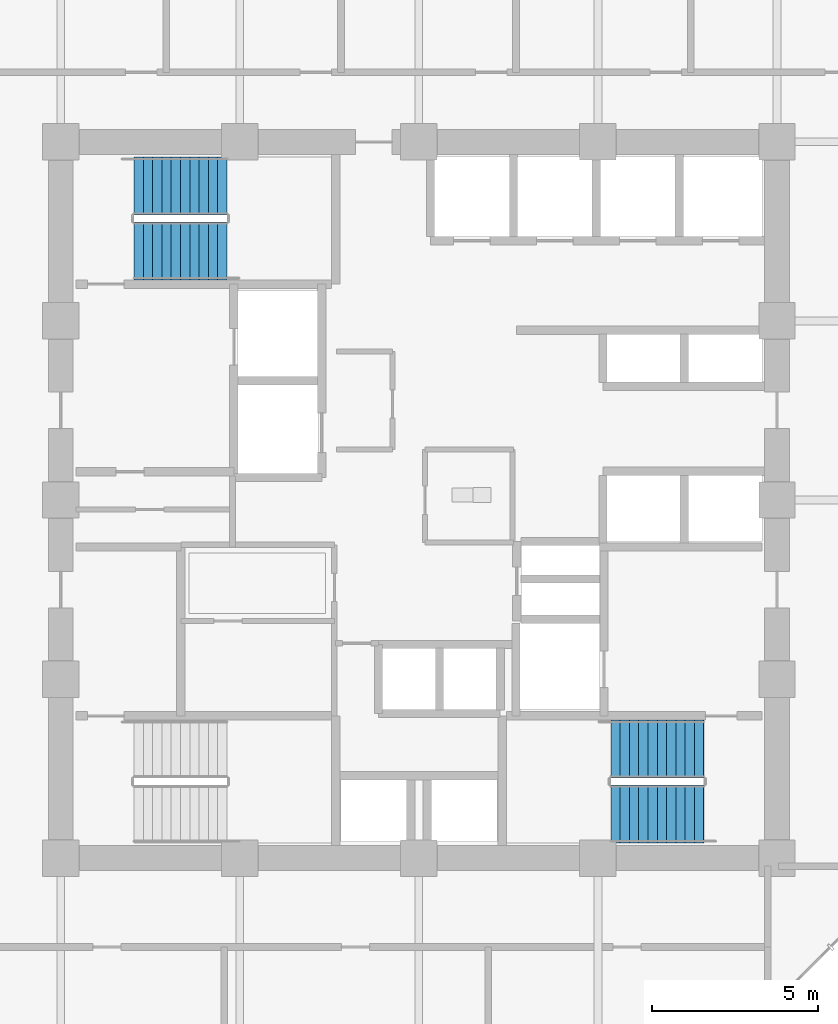
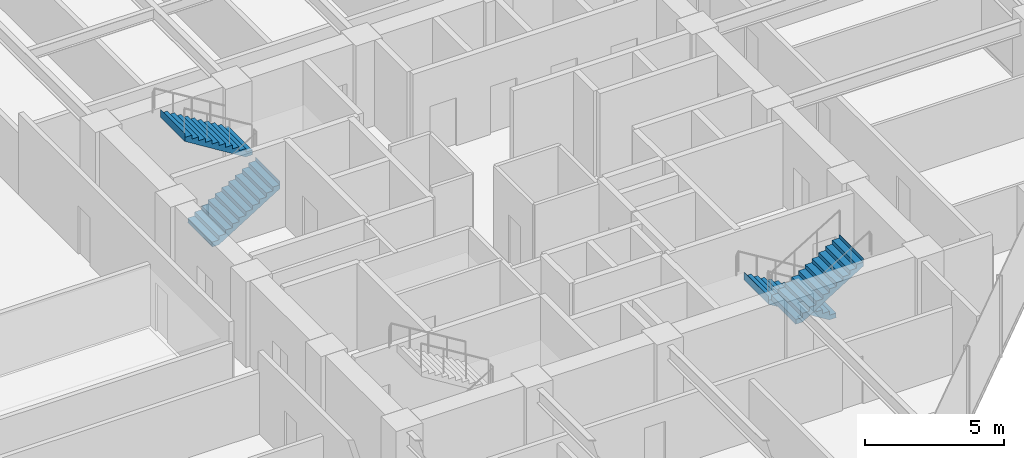
# One storey, part 22 of 25: 4 stair flights, 2 elements without a shape of their own.
"""IFC4 building model written with IfcOpenShell, lengths in metres."""

from ifc_helpers import new_model, si_unit, direction, frame, origin, place, context, subcontext, project, spatial, polyline, outline, extrude, material, type_object, element, aggregate, save


model = new_model("IFC4")

# Units and contexts
model_context = context("Model", 3, precision=1e-05, world=origin(), true_north=direction((0.0, 1.0)))
body_context = subcontext(model_context, "Body", "Model", "MODEL_VIEW")
ifc_project = project(units=[si_unit("LENGTHUNIT", "METRE"), si_unit("AREAUNIT", "SQUARE_METRE"), si_unit("VOLUMEUNIT", "CUBIC_METRE"), si_unit("PLANEANGLEUNIT", "RADIAN"), si_unit("MASSUNIT", "GRAM", prefix="KILO")], contexts=[model_context])

# Site, building, storey
site_placement = place(None, origin())
site = spatial("IfcSite", under=ifc_project, at=site_placement, CompositionType="ELEMENT")
building_placement = place(site_placement, origin())
building = spatial("IfcBuilding", under=site, at=building_placement, Name="Surkhivell Harbour Commons", CompositionType="ELEMENT")
storey_placement = place(building_placement, frame((0.0, 0.0, 124.5)))
storey = spatial("IfcBuildingStorey", under=building, at=storey_placement, Name="L32", CompositionType="ELEMENT", Elevation=124.5)

# Stair, stair flights
ifc_material = material(Name="Precast concrete C45/55", Category="concrete")
stair_type = type_object("IfcStairType", Name="STR-DL-375", PredefinedType="HALF_TURN_STAIR", material=ifc_material)
stair_1_placement = place(storey_placement, origin())
stair_1 = element("IfcStair", 1, at=stair_1_placement, inside=storey, type_object=stair_type, Name="L32 Core Exit Stair ST1", PredefinedType="HALF_TURN_STAIR")
stair_flight_type = type_object("IfcStairFlightType", Name="STF-DL-375", PredefinedType="STRAIGHT", material=ifc_material)
stair_flight_1_placement = place(storey_placement, frame((-8.590087890625, 7.514892578125, 0.0), z_axis=(0.0, 0.0, 1.0), x_axis=(1.0, 0.0, 0.0)))
stair_flight_1 = element("IfcStairFlight", 2, at=stair_flight_1_placement, type_object=stair_flight_type, Name="ST1 flight 1", NumberOfRisers=11, NumberOfTreads=10, PredefinedType="STRAIGHT", RiserHeight=0.170454545, TreadLength=0.28, context=body_context, shape_type="SweptSolid", body=[
    extrude(outline(polyline([(-0.0029296875, -0.034912109375), (-0.0029296875, 0.0), (0.0, 0.0), (0.0, 0.17041015625), (0.280029296875, 0.17041015625), (0.280029296875, 0.3408203125), (0.56005859375, 0.3408203125), (0.56005859375, 0.511474609375), (0.840087890625, 0.511474609375), (0.840087890625, 0.681884765625), (1.1201171875, 0.681884765625), (1.1201171875, 0.852294921875), (1.39990234375, 0.852294921875), (1.39990234375, 1.022705078125), (1.679931640625, 1.022705078125), (1.679931640625, 1.193115234375), (1.9599609375, 1.193115234375), (1.9599609375, 1.363525390625), (2.239990234375, 1.363525390625), (2.239990234375, 1.5341796875), (2.52001953125, 1.5341796875), (2.52001953125, 1.70458984375), (2.800048828125, 1.70458984375), (2.800048828125, 1.875), (2.802978515625, 1.875), (2.802978515625, 1.529052734375), (0.288330078125, -0.034912109375), (-0.0029296875, -0.034912109375)])), frame((0.0, 0.875, 0.0), z_axis=(0.0, -1.0, 0.0), x_axis=(1.0, 0.0, 0.0)), (0.0, 0.0, 1.0), 1.75),
])
stair_flight_2_placement = place(storey_placement, frame((-5.7900390625, 9.465087890625, 1.875), z_axis=(0.0, 0.0, 1.0), x_axis=(-1.0, 0.0, 0.0)))
stair_flight_2 = element("IfcStairFlight", 3, at=stair_flight_2_placement, type_object=stair_flight_type, Name="ST1 flight 2", NumberOfRisers=11, NumberOfTreads=10, PredefinedType="STRAIGHT", RiserHeight=0.170454545, TreadLength=0.28, context=body_context, shape_type="SweptSolid", body=[
    extrude(outline(polyline([(-0.0029296875, -0.034912109375), (-0.0029296875, 0.0), (0.0, 0.0), (0.0, 0.17041015625), (0.280029296875, 0.17041015625), (0.280029296875, 0.3408203125), (0.56005859375, 0.3408203125), (0.56005859375, 0.511474609375), (0.840087890625, 0.511474609375), (0.840087890625, 0.681884765625), (1.1201171875, 0.681884765625), (1.1201171875, 0.852294921875), (1.39990234375, 0.852294921875), (1.39990234375, 1.022705078125), (1.679931640625, 1.022705078125), (1.679931640625, 1.193115234375), (1.9599609375, 1.193115234375), (1.9599609375, 1.363525390625), (2.239990234375, 1.363525390625), (2.239990234375, 1.5341796875), (2.52001953125, 1.5341796875), (2.52001953125, 1.70458984375), (2.800048828125, 1.70458984375), (2.800048828125, 1.875), (2.802978515625, 1.875), (2.802978515625, 1.529052734375), (0.288330078125, -0.034912109375), (-0.0029296875, -0.034912109375)])), frame((0.0, 0.875, 0.0), z_axis=(0.0, -1.0, 0.0), x_axis=(1.0, 0.0, 0.0)), (0.0, 0.0, 1.0), 1.75),
])
aggregate(stair_1, [stair_flight_1, stair_flight_2])

stair_2_placement = place(storey_placement, origin())
stair_2 = element("IfcStair", 4, at=stair_2_placement, inside=storey, type_object=stair_type, Name="L32 Core Exit Stair ST2", PredefinedType="HALF_TURN_STAIR")
stair_flight_3_placement = place(storey_placement, frame((8.590087890625, -7.514892578125, 0.0), z_axis=(0.0, 0.0, 1.0), x_axis=(-1.0, 0.0, 0.0)))
stair_flight_3 = element("IfcStairFlight", 5, at=stair_flight_3_placement, type_object=stair_flight_type, Name="ST2 flight 1", NumberOfRisers=11, NumberOfTreads=10, PredefinedType="STRAIGHT", RiserHeight=0.170454545, TreadLength=0.28, context=body_context, shape_type="SweptSolid", body=[
    extrude(outline(polyline([(-0.0029296875, -0.034912109375), (-0.0029296875, 0.0), (0.0, 0.0), (0.0, 0.17041015625), (0.280029296875, 0.17041015625), (0.280029296875, 0.3408203125), (0.56005859375, 0.3408203125), (0.56005859375, 0.511474609375), (0.840087890625, 0.511474609375), (0.840087890625, 0.681884765625), (1.1201171875, 0.681884765625), (1.1201171875, 0.852294921875), (1.39990234375, 0.852294921875), (1.39990234375, 1.022705078125), (1.679931640625, 1.022705078125), (1.679931640625, 1.193115234375), (1.9599609375, 1.193115234375), (1.9599609375, 1.363525390625), (2.239990234375, 1.363525390625), (2.239990234375, 1.5341796875), (2.52001953125, 1.5341796875), (2.52001953125, 1.70458984375), (2.800048828125, 1.70458984375), (2.800048828125, 1.875), (2.802978515625, 1.875), (2.802978515625, 1.529052734375), (0.288330078125, -0.034912109375), (-0.0029296875, -0.034912109375)])), frame((0.0, 0.875, 0.0), z_axis=(0.0, -1.0, 0.0), x_axis=(1.0, 0.0, 0.0)), (0.0, 0.0, 1.0), 1.75),
])
stair_flight_4_placement = place(storey_placement, frame((5.7900390625, -9.465087890625, 1.875), z_axis=(0.0, 0.0, 1.0), x_axis=(1.0, 0.0, 0.0)))
stair_flight_4 = element("IfcStairFlight", 6, at=stair_flight_4_placement, type_object=stair_flight_type, Name="ST2 flight 2", NumberOfRisers=11, NumberOfTreads=10, PredefinedType="STRAIGHT", RiserHeight=0.170454545, TreadLength=0.28, context=body_context, shape_type="SweptSolid", body=[
    extrude(outline(polyline([(-0.0029296875, -0.034912109375), (-0.0029296875, 0.0), (0.0, 0.0), (0.0, 0.17041015625), (0.280029296875, 0.17041015625), (0.280029296875, 0.3408203125), (0.56005859375, 0.3408203125), (0.56005859375, 0.511474609375), (0.840087890625, 0.511474609375), (0.840087890625, 0.681884765625), (1.1201171875, 0.681884765625), (1.1201171875, 0.852294921875), (1.39990234375, 0.852294921875), (1.39990234375, 1.022705078125), (1.679931640625, 1.022705078125), (1.679931640625, 1.193115234375), (1.9599609375, 1.193115234375), (1.9599609375, 1.363525390625), (2.239990234375, 1.363525390625), (2.239990234375, 1.5341796875), (2.52001953125, 1.5341796875), (2.52001953125, 1.70458984375), (2.800048828125, 1.70458984375), (2.800048828125, 1.875), (2.802978515625, 1.875), (2.802978515625, 1.529052734375), (0.288330078125, -0.034912109375), (-0.0029296875, -0.034912109375)])), frame((0.0, 0.875, 0.0), z_axis=(0.0, -1.0, 0.0), x_axis=(1.0, 0.0, 0.0)), (0.0, 0.0, 1.0), 1.75),
])
aggregate(stair_2, [stair_flight_3, stair_flight_4])

save(model, "model.ifc")
